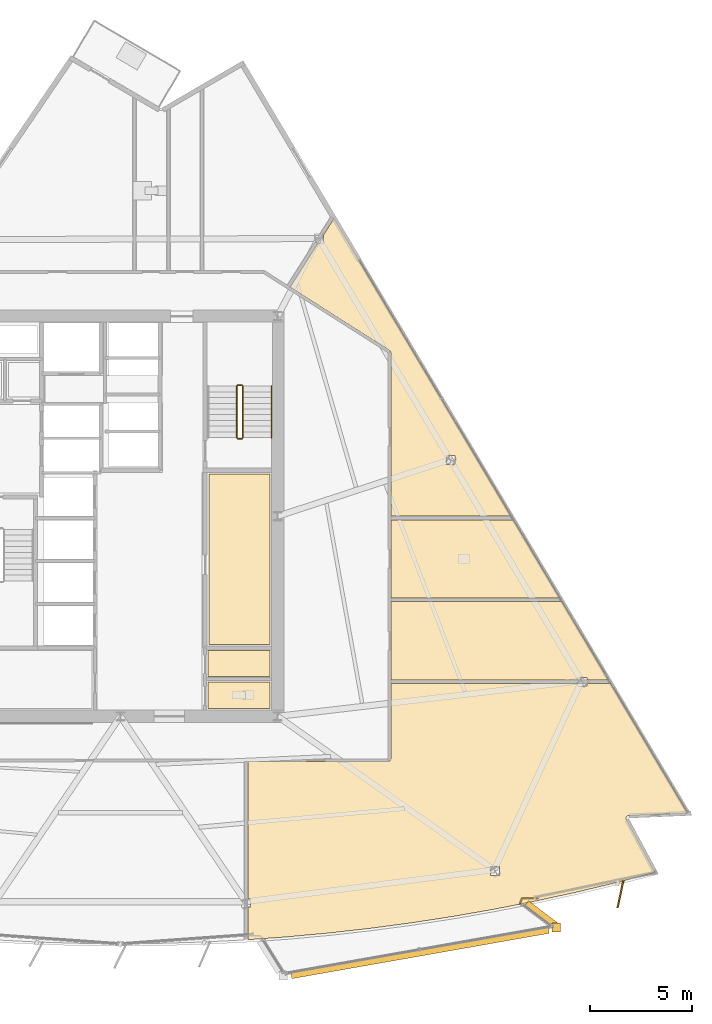
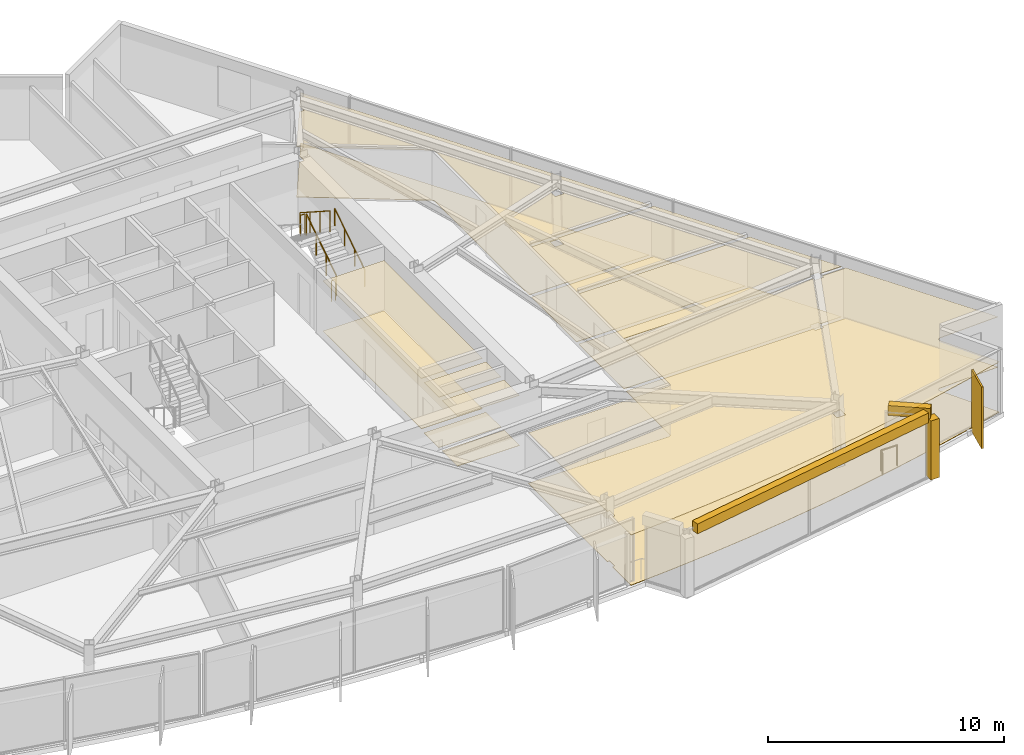
# One storey, part 13 of 15: 17 coverings, 6 railings, 1 shading device.
"""IFC4 building model written with IfcOpenShell, lengths in metres."""

from ifc_helpers import new_model, si_unit, direction, frame, origin, origin_2d, place, context, subcontext, project, spatial, polyline, rectangle, circle, outline, extrude, material, layer, layer_set, type_object, element, save


model = new_model("IFC4")

# Units and contexts
model_context = context("Model", 3, precision=1e-05, world=origin(), true_north=direction((0.0, 1.0)))
body_context = subcontext(model_context, "Body", "Model", "MODEL_VIEW")
ifc_project = project(units=[si_unit("LENGTHUNIT", "METRE"), si_unit("AREAUNIT", "SQUARE_METRE"), si_unit("VOLUMEUNIT", "CUBIC_METRE"), si_unit("PLANEANGLEUNIT", "RADIAN"), si_unit("MASSUNIT", "GRAM", prefix="KILO")], contexts=[model_context])

# Site, building, storey
site_placement = place(None, origin())
site = spatial("IfcSite", under=ifc_project, at=site_placement, CompositionType="ELEMENT")
building_placement = place(site_placement, origin())
building = spatial("IfcBuilding", under=site, at=building_placement, Name="Savorim Split Tower", CompositionType="ELEMENT")
storey_placement = place(building_placement, frame((0.0, 0.0, 125.699951171875)))
storey = spatial("IfcBuildingStorey", under=building, at=storey_placement, Name="L33", CompositionType="ELEMENT", Elevation=125.699951171875)

# Coverings
ifc_material_1 = material(Name="Mineral Fibre Acoustic Ceiling")
ifc_layer_1 = layer(ifc_material_1, 0.02490234375)
ifc_layer_set_1 = layer_set([ifc_layer_1], Name="COV-CEIL-25")
covering_type_1 = type_object("IfcCoveringType", Name="COV-CEIL-25", PredefinedType="CEILING", material=ifc_layer_set_1)
covering_1_placement = place(storey_placement, frame((0.0, 0.0, 2.60009765625)))
element("IfcCovering", 1, at=covering_1_placement, inside=storey, type_object=covering_type_1, Name="L33 Quiet Study Room Acoustic Ceiling", PredefinedType="CEILING", context=body_context, shape_type="SweptSolid", body=[
    extrude(outline(polyline([(4.330078125, 2.469970703125), (4.330078125, -5.8701171875), (7.320068359375, -5.8701171875), (7.320068359375, 2.469970703125), (4.330078125, 2.469970703125)])), origin(), (0.0, 0.0, 1.0), 0.02490234375),
])
covering_2_placement = place(storey_placement, frame((0.0, 0.0, 2.60009765625)))
element("IfcCovering", 2, at=covering_2_placement, inside=storey, type_object=covering_type_1, Name="L33 Accessible WC Acoustic Ceiling", PredefinedType="CEILING", context=body_context, shape_type="SweptSolid", body=[
    extrude(outline(polyline([(4.280029296875, -7.719970703125), (4.280029296875, -9.02001953125), (7.320068359375, -9.02001953125), (7.320068359375, -7.719970703125), (4.280029296875, -7.719970703125)])), origin(), (0.0, 0.0, 1.0), 0.02490234375),
])
covering_3_placement = place(storey_placement, frame((0.0, 0.0, 2.60009765625)))
element("IfcCovering", 3, at=covering_3_placement, inside=storey, type_object=covering_type_1, Name="L33 Cleaning Store Acoustic Ceiling", PredefinedType="CEILING", context=body_context, shape_type="SweptSolid", body=[
    extrude(outline(polyline([(4.280029296875, -6.179931640625), (4.280029296875, -7.43994140625), (7.320068359375, -7.43994140625), (7.320068359375, -6.179931640625), (4.280029296875, -6.179931640625)])), origin(), (0.0, 0.0, 1.0), 0.02490234375),
])
covering_4_placement = place(storey_placement, frame((0.0, 0.0, 2.60009765625)))
element("IfcCovering", 4, at=covering_4_placement, inside=storey, type_object=covering_type_1, Name="L33 Maker Workshop Acoustic Ceiling", PredefinedType="CEILING", context=body_context, shape_type="SweptSolid", body=[
    extrude(outline(polyline([(24.857421875, -14.2685546875), (24.86865234375, -14.2666015625), (24.880126953125, -14.265380859375), (27.78271484375, -14.141845703125), (23.99169921875, -7.7666015625), (23.99169921875, -7.799560546875), (22.841796875, -7.799560546875), (22.841796875, -7.922607421875), (22.415771484375, -7.922607421875), (22.415771484375, -7.799560546875), (13.239990234375, -7.799560546875), (13.239990234375, -11.47998046875), (13.2392578125, -11.49365234375), (13.2373046875, -11.50732421875), (13.23388671875, -11.5205078125), (13.229248046875, -11.53369140625), (13.223388671875, -11.5458984375), (13.21630859375, -11.557861328125), (13.208251953125, -11.56884765625), (13.198974609375, -11.5791015625), (13.188720703125, -11.588134765625), (13.177734375, -11.596435546875), (13.166015625, -11.603515625), (13.153564453125, -11.609375), (13.140625, -11.614013671875), (13.127197265625, -11.6171875), (13.11376953125, -11.619384765625), (13.10009765625, -11.6201171875), (6.2421875, -11.6201171875), (6.2421875, -18.320556640625), (6.3603515625, -18.320556640625), (6.3603515625, -18.756591796875), (6.2421875, -18.756591796875), (6.2421875, -20.292236328125), (6.2421875, -20.33544921875), (8.186767578125, -20.196044921875), (10.22705078125, -20.007568359375), (12.262939453125, -19.77734375), (14.2939453125, -19.505615234375), (16.318603515625, -19.1923828125), (18.336669921875, -18.837890625), (20.34716796875, -18.44189453125), (22.348876953125, -18.005126953125), (24.34130859375, -17.52734375), (26.177490234375, -17.04736328125), (24.779541015625, -14.44189453125), (24.7744140625, -14.431640625), (24.7705078125, -14.4208984375), (24.767578125, -14.40966796875), (24.765869140625, -14.398193359375), (24.76513671875, -14.38671875), (24.765625, -14.375), (24.76708984375, -14.36376953125), (24.769775390625, -14.352294921875), (24.7734375, -14.341552734375), (24.7783203125, -14.3310546875), (24.783935546875, -14.32080078125), (24.79052734375, -14.3115234375), (24.798095703125, -14.302734375), (24.806396484375, -14.294921875), (24.8154296875, -14.28759765625), (24.8251953125, -14.281494140625), (24.83544921875, -14.276123046875), (24.84619140625, -14.271728515625), (24.857421875, -14.2685546875)]), holes=[polyline([(18.554931640625, -17.19091796875), (18.554931640625, -16.7548828125), (18.12890625, -16.7548828125), (18.12890625, -17.19091796875), (18.554931640625, -17.19091796875)])]), origin(), (0.0, 0.0, 1.0), 0.02490234375),
])
covering_5_placement = place(storey_placement, frame((0.0, 0.0, 2.60009765625)))
element("IfcCovering", 5, at=covering_5_placement, inside=storey, type_object=covering_type_1, Name="L33 Communal Lounge Acoustic Ceiling", PredefinedType="CEILING", context=body_context, shape_type="SweptSolid", body=[
    extrude(outline(polyline([(22.841796875, -7.486572265625), (22.841796875, -7.609619140625), (23.896728515625, -7.609619140625), (23.8984375, -7.609619140625), (21.62548828125, -3.787353515625), (13.239990234375, -3.787353515625), (13.239990234375, -7.609619140625), (22.415771484375, -7.609619140625), (22.415771484375, -7.486572265625), (22.841796875, -7.486572265625)])), origin(), (0.0, 0.0, 1.0), 0.02490234375),
])
covering_6_placement = place(storey_placement, frame((0.0, 0.0, 2.60009765625)))
element("IfcCovering", 6, at=covering_6_placement, inside=storey, type_object=covering_type_1, Name="L33 Community Laundry Room Acoustic Ceiling", PredefinedType="CEILING", context=body_context, shape_type="SweptSolid", body=[
    extrude(outline(polyline([(21.5126953125, -3.597412109375), (19.239990234375, 0.224853515625), (13.239990234375, 0.224853515625), (13.239990234375, -3.597412109375), (21.5126953125, -3.597412109375)])), origin(), (0.0, 0.0, 1.0), 0.02490234375),
])
covering_7_placement = place(storey_placement, frame((0.0, 0.0, 2.60009765625)))
element("IfcCovering", 7, at=covering_7_placement, inside=storey, type_object=covering_type_1, Name="L33 Co-Working Commons Acoustic Ceiling", PredefinedType="CEILING", context=body_context, shape_type="SweptSolid", body=[
    extrude(outline(polyline([(13.2373046875, 8.427978515625), (13.2392578125, 8.4140625), (13.239990234375, 8.39990234375), (13.239990234375, 0.414794921875), (19.126953125, 0.414794921875), (10.46337890625, 14.98486328125), (9.936279296875, 14.156494140625), (9.936279296875, 13.780517578125), (9.697265625, 13.780517578125), (8.31591796875, 11.60888671875), (8.31591796875, 11.60888671875), (13.175048828125, 8.51806640625), (13.1865234375, 8.510009765625), (13.197265625, 8.500732421875), (13.206787109375, 8.490478515625), (13.21533203125, 8.479248046875), (13.22265625, 8.46728515625), (13.22900390625, 8.45458984375), (13.233642578125, 8.44140625), (13.2373046875, 8.427978515625)]), holes=[polyline([(16.38916015625, 2.928955078125), (16.38916015625, 3.364990234375), (15.963134765625, 3.364990234375), (15.963134765625, 2.928955078125), (16.38916015625, 2.928955078125)])]), origin(), (0.0, 0.0, 1.0), 0.02490234375),
])
ifc_material_2 = material(Name="Porcelain Stoneware Flooring", Category="masonry")
ifc_layer_2 = layer(ifc_material_2, 0.02001953125)
ifc_layer_set_2 = layer_set([ifc_layer_2], Name="COV-FLOR-20")
covering_type_2 = type_object("IfcCoveringType", Name="COV-FLOR-20", PredefinedType="FLOORING", material=ifc_layer_set_2)
covering_8_placement = place(storey_placement, origin())
element("IfcCovering", 8, at=covering_8_placement, inside=storey, type_object=covering_type_2, Name="L33 Quiet Study Room Porcelain Flooring", PredefinedType="FLOORING", context=body_context, shape_type="SweptSolid", body=[
    extrude(outline(polyline([(4.330078125, 2.469970703125), (4.330078125, -5.8701171875), (7.320068359375, -5.8701171875), (7.320068359375, 2.469970703125), (4.330078125, 2.469970703125)])), origin(), (0.0, 0.0, 1.0), 0.02001953125),
])
covering_9_placement = place(storey_placement, origin())
element("IfcCovering", 9, at=covering_9_placement, inside=storey, type_object=covering_type_2, Name="L33 Accessible WC Porcelain Flooring", PredefinedType="FLOORING", context=body_context, shape_type="SweptSolid", body=[
    extrude(outline(polyline([(4.280029296875, -7.719970703125), (4.280029296875, -9.02001953125), (7.320068359375, -9.02001953125), (7.320068359375, -7.719970703125), (4.280029296875, -7.719970703125)])), origin(), (0.0, 0.0, 1.0), 0.02001953125),
])
covering_10_placement = place(storey_placement, origin())
element("IfcCovering", 10, at=covering_10_placement, inside=storey, type_object=covering_type_2, Name="L33 Cleaning Store Porcelain Flooring", PredefinedType="FLOORING", context=body_context, shape_type="SweptSolid", body=[
    extrude(outline(polyline([(4.280029296875, -6.179931640625), (4.280029296875, -7.43994140625), (7.320068359375, -7.43994140625), (7.320068359375, -6.179931640625), (4.280029296875, -6.179931640625)])), origin(), (0.0, 0.0, 1.0), 0.02001953125),
])
covering_11_placement = place(storey_placement, origin())
element("IfcCovering", 11, at=covering_11_placement, inside=storey, type_object=covering_type_2, Name="L33 Maker Workshop Porcelain Flooring", PredefinedType="FLOORING", context=body_context, shape_type="SweptSolid", body=[
    extrude(outline(polyline([(24.857421875, -14.2685546875), (24.86865234375, -14.2666015625), (24.880126953125, -14.265380859375), (27.78271484375, -14.141845703125), (23.99169921875, -7.7666015625), (23.99169921875, -7.799560546875), (22.841796875, -7.799560546875), (22.841796875, -7.922607421875), (22.415771484375, -7.922607421875), (22.415771484375, -7.799560546875), (13.239990234375, -7.799560546875), (13.239990234375, -11.47998046875), (13.2392578125, -11.49365234375), (13.2373046875, -11.50732421875), (13.23388671875, -11.5205078125), (13.229248046875, -11.53369140625), (13.223388671875, -11.5458984375), (13.21630859375, -11.557861328125), (13.208251953125, -11.56884765625), (13.198974609375, -11.5791015625), (13.188720703125, -11.588134765625), (13.177734375, -11.596435546875), (13.166015625, -11.603515625), (13.153564453125, -11.609375), (13.140625, -11.614013671875), (13.127197265625, -11.6171875), (13.11376953125, -11.619384765625), (13.10009765625, -11.6201171875), (6.2421875, -11.6201171875), (6.2421875, -18.320556640625), (6.3603515625, -18.320556640625), (6.3603515625, -18.756591796875), (6.2421875, -18.756591796875), (6.2421875, -20.292236328125), (6.2421875, -20.33544921875), (8.186767578125, -20.196044921875), (10.22705078125, -20.007568359375), (12.262939453125, -19.77734375), (14.2939453125, -19.505615234375), (16.318603515625, -19.1923828125), (18.336669921875, -18.837890625), (20.34716796875, -18.44189453125), (22.348876953125, -18.005126953125), (24.34130859375, -17.52734375), (26.177490234375, -17.04736328125), (24.779541015625, -14.44189453125), (24.7744140625, -14.431640625), (24.7705078125, -14.4208984375), (24.767578125, -14.40966796875), (24.765869140625, -14.398193359375), (24.76513671875, -14.38671875), (24.765625, -14.375), (24.76708984375, -14.36376953125), (24.769775390625, -14.352294921875), (24.7734375, -14.341552734375), (24.7783203125, -14.3310546875), (24.783935546875, -14.32080078125), (24.79052734375, -14.3115234375), (24.798095703125, -14.302734375), (24.806396484375, -14.294921875), (24.8154296875, -14.28759765625), (24.8251953125, -14.281494140625), (24.83544921875, -14.276123046875), (24.84619140625, -14.271728515625), (24.857421875, -14.2685546875)]), holes=[polyline([(18.554931640625, -17.19091796875), (18.554931640625, -16.7548828125), (18.12890625, -16.7548828125), (18.12890625, -17.19091796875), (18.554931640625, -17.19091796875)])]), origin(), (0.0, 0.0, 1.0), 0.02001953125),
])
covering_12_placement = place(storey_placement, origin())
element("IfcCovering", 12, at=covering_12_placement, inside=storey, type_object=covering_type_2, Name="L33 Communal Lounge Porcelain Flooring", PredefinedType="FLOORING", context=body_context, shape_type="SweptSolid", body=[
    extrude(outline(polyline([(22.841796875, -7.486572265625), (22.841796875, -7.609619140625), (23.896728515625, -7.609619140625), (23.8984375, -7.609619140625), (21.62548828125, -3.787353515625), (13.239990234375, -3.787353515625), (13.239990234375, -7.609619140625), (22.415771484375, -7.609619140625), (22.415771484375, -7.486572265625), (22.841796875, -7.486572265625)])), origin(), (0.0, 0.0, 1.0), 0.02001953125),
])
covering_13_placement = place(storey_placement, origin())
element("IfcCovering", 13, at=covering_13_placement, inside=storey, type_object=covering_type_2, Name="L33 Community Laundry Room Porcelain Flooring", PredefinedType="FLOORING", context=body_context, shape_type="SweptSolid", body=[
    extrude(outline(polyline([(21.5126953125, -3.597412109375), (19.239990234375, 0.224853515625), (13.239990234375, 0.224853515625), (13.239990234375, -3.597412109375), (21.5126953125, -3.597412109375)])), origin(), (0.0, 0.0, 1.0), 0.02001953125),
])
covering_14_placement = place(storey_placement, origin())
element("IfcCovering", 14, at=covering_14_placement, inside=storey, type_object=covering_type_2, Name="L33 Co-Working Commons Porcelain Flooring", PredefinedType="FLOORING", context=body_context, shape_type="SweptSolid", body=[
    extrude(outline(polyline([(13.2373046875, 8.427978515625), (13.2392578125, 8.4140625), (13.239990234375, 8.39990234375), (13.239990234375, 0.414794921875), (19.126953125, 0.414794921875), (10.46337890625, 14.98486328125), (9.936279296875, 14.156494140625), (9.936279296875, 13.780517578125), (9.697265625, 13.780517578125), (8.31591796875, 11.60888671875), (8.31591796875, 11.60888671875), (13.175048828125, 8.51806640625), (13.1865234375, 8.510009765625), (13.197265625, 8.500732421875), (13.206787109375, 8.490478515625), (13.21533203125, 8.479248046875), (13.22265625, 8.46728515625), (13.22900390625, 8.45458984375), (13.233642578125, 8.44140625), (13.2373046875, 8.427978515625)]), holes=[polyline([(16.38916015625, 2.928955078125), (16.38916015625, 3.364990234375), (15.963134765625, 3.364990234375), (15.963134765625, 2.928955078125), (16.38916015625, 2.928955078125)])]), origin(), (0.0, 0.0, 1.0), 0.02001953125),
])
ifc_material_3 = material(Name="White Porcelain Architectural Cladding")
ifc_layer_3 = layer(ifc_material_3, 0.139892578125)
ifc_layer_set_3 = layer_set([ifc_layer_3], Name="COV-FRM-WHITE")
covering_type_3 = type_object("IfcCoveringType", Name="COV-FRM-WHITE", PredefinedType="CLADDING", material=ifc_layer_set_3)
covering_15_placement = place(storey_placement, frame((0.0, 0.0, 3.080078125)))
element("IfcCovering", 15, at=covering_15_placement, inside=storey, type_object=covering_type_3, Name="L33 Cantilevered Lounge White Upper Cornice Band F", PredefinedType="CLADDING", context=body_context, shape_type="SweptSolid", body=[
    extrude(outline(polyline([(8.399169921875, -22.24658203125), (20.9951171875, -20.02490234375), (20.93603515625, -19.690185546875), (8.340087890625, -21.911865234375), (8.399169921875, -22.24658203125)])), origin(), (0.0, 0.0, 1.0), 0.510009765625),
])
covering_16_placement = place(storey_placement, frame((0.0, 0.0, 3.080078125)))
element("IfcCovering", 16, at=covering_16_placement, inside=storey, type_object=covering_type_3, Name="L33 Cantilevered Lounge White Upper Cornice Band E", PredefinedType="CLADDING", context=body_context, shape_type="SweptSolid", body=[
    extrude(outline(polyline([(21.419677734375, -19.51513671875), (19.98486328125, -18.428466796875), (19.779541015625, -18.699462890625), (21.214599609375, -19.7861328125), (21.419677734375, -19.51513671875)])), origin(), (0.0, 0.0, 1.0), 0.510009765625),
])
covering_17_placement = place(storey_placement, frame((0.0, 0.0, 0.010009765625)))
element("IfcCovering", 17, at=covering_17_placement, inside=storey, type_object=covering_type_3, Name="L33 Cantilevered Lounge White Frame Corner Post 2", PredefinedType="CLADDING", context=body_context, shape_type="SweptSolid", body=[
    extrude(outline(polyline([(21.140625, -19.94873046875), (21.560791015625, -19.94873046875), (21.560791015625, -19.52880859375), (21.140625, -19.52880859375), (21.140625, -19.94873046875)])), origin(), (0.0, 0.0, 1.0), 3.050048828125),
])

# Railings
ifc_material_4 = material(Name="Galvanised Painted Steel Balustrade", Category="steel")
railing_type_1 = type_object("IfcRailingType", Name="RLG-BAL-1100", PredefinedType="BALUSTRADE", material=ifc_material_4)
railing_1_placement = place(storey_placement, frame((19.564208984375, -18.5869140625, 0.0)))
element("IfcRailing", 18, at=railing_1_placement, inside=storey, type_object=railing_type_1, Name="L33 Cantilevered Lounge East Edge Closure Guard", PredefinedType="BALUSTRADE", context=body_context, shape_type="SweptSolid", body=[
    extrude(circle(Radius=0.02392578125, at=origin_2d()), frame((0.0, 0.0, 1.076171875), z_axis=(0.327651820851, 0.944798541644, 0.0), x_axis=(-0.944798541644, 0.327651820851, 0.0)), (0.0, 0.0, 1.0), 0.29443359375),
    extrude(circle(Radius=0.02392578125, at=origin_2d()), frame((0.096435546875, 0.278076171875, 1.076171875), z_axis=(1.0, 0.0, 0.0), x_axis=(0.0, 1.0, 0.0)), (0.0, 0.0, 1.0), 0.780029296875),
    extrude(circle(Radius=0.02099609375, at=origin_2d()), origin(), (0.0, 0.0, 1.0), 1.052001953125),
    extrude(circle(Radius=0.02099609375, at=origin_2d()), frame((0.096435546875, 0.278076171875, 0.0)), (0.0, 0.0, 1.0), 1.052001953125),
    extrude(circle(Radius=0.02099609375, at=origin_2d()), frame((0.87646484375, 0.278076171875, 0.0)), (0.0, 0.0, 1.0), 1.052001953125),
])
railing_type_2 = type_object("IfcRailingType", Name="RLG-HR-900", PredefinedType="HANDRAIL", material=ifc_material_4)
railing_2_placement = place(storey_placement, frame((7.39990234375, 4.25, 0.179931640625)))
element("IfcRailing", 19, at=railing_2_placement, inside=storey, type_object=railing_type_2, Name="L33 ST-2 stair handrail 1", PredefinedType="HANDRAIL", context=body_context, shape_type="SweptSolid", body=[
    extrude(circle(Radius=0.02392578125, at=origin_2d()), frame((0.0, 0.0, 0.8759765625), z_axis=(0.0, 0.841162588446, 0.540782303519), x_axis=(-1.0, 0.0, 0.0)), (0.0, 0.0, 1.0), 2.995849609375),
    extrude(circle(Radius=0.02099609375, at=origin_2d()), origin(), (0.0, 0.0, 1.0), 0.851806640625),
    extrude(circle(Radius=0.02099609375, at=origin_2d()), frame((0.0, 0.840087890625, 0.5400390625)), (0.0, 0.0, 1.0), 0.851806640625),
    extrude(circle(Radius=0.02099609375, at=origin_2d()), frame((0.0, 1.679931640625, 1.080078125)), (0.0, 0.0, 1.0), 0.851806640625),
    extrude(circle(Radius=0.02099609375, at=origin_2d()), frame((0.0, 2.52001953125, 1.6201171875)), (0.0, 0.0, 1.0), 0.851806640625),
])
railing_type_3 = type_object("IfcRailingType", Name="RLG-STG-1100", PredefinedType="BALUSTRADE", material=ifc_material_4)
railing_3_placement = place(storey_placement, frame((6.0, 4.25, 0.179931640625)))
element("IfcRailing", 20, at=railing_3_placement, inside=storey, type_object=railing_type_3, Name="L33 ST-2 stair guard 1", PredefinedType="BALUSTRADE", context=body_context, shape_type="SweptSolid", body=[
    extrude(circle(Radius=0.02392578125, at=origin_2d()), frame((0.0, 0.0, 1.076171875), z_axis=(0.0, 0.841162588446, 0.540782303519), x_axis=(-1.0, 0.0, 0.0)), (0.0, 0.0, 1.0), 2.995849609375),
    extrude(circle(Radius=0.02099609375, at=origin_2d()), origin(), (0.0, 0.0, 1.0), 1.052001953125),
    extrude(circle(Radius=0.02099609375, at=origin_2d()), frame((0.0, 0.840087890625, 0.5400390625)), (0.0, 0.0, 1.0), 1.052001953125),
    extrude(circle(Radius=0.02099609375, at=origin_2d()), frame((0.0, 1.679931640625, 1.080078125)), (0.0, 0.0, 1.0), 1.052001953125),
    extrude(circle(Radius=0.02099609375, at=origin_2d()), frame((0.0, 2.52001953125, 1.6201171875)), (0.0, 0.0, 1.0), 1.052001953125),
])
railing_4_placement = place(storey_placement, frame((5.949951171875, 6.820068359375, 1.800048828125)))
element("IfcRailing", 21, at=railing_4_placement, inside=storey, type_object=railing_type_3, Name="L33 ST-2 stair guard 2", PredefinedType="BALUSTRADE", context=body_context, shape_type="SweptSolid", body=[
    extrude(circle(Radius=0.02392578125, at=origin_2d()), frame((0.0, 0.0, 1.076171875), z_axis=(-1.0, 0.0, 0.0), x_axis=(0.0, -1.0, 0.0)), (0.0, 0.0, 1.0), 0.199951171875),
    extrude(circle(Radius=0.02099609375, at=origin_2d()), origin(), (0.0, 0.0, 1.0), 1.052001953125),
    extrude(circle(Radius=0.02099609375, at=origin_2d()), frame((-0.199951171875, 0.0, 0.0)), (0.0, 0.0, 1.0), 1.052001953125),
])
railing_5_placement = place(storey_placement, frame((5.699951171875, 6.77001953125, 1.97998046875)))
element("IfcRailing", 22, at=railing_5_placement, inside=storey, type_object=railing_type_3, Name="L33 ST-2 stair guard 3", PredefinedType="BALUSTRADE", context=body_context, shape_type="SweptSolid", body=[
    extrude(circle(Radius=0.02392578125, at=origin_2d()), frame((0.0, 0.0, 1.076171875), z_axis=(0.0, -0.841162588446, 0.540782303519), x_axis=(1.0, 0.0, 0.0)), (0.0, 0.0, 1.0), 2.995849609375),
    extrude(circle(Radius=0.02099609375, at=origin_2d()), origin(), (0.0, 0.0, 1.0), 1.052001953125),
    extrude(circle(Radius=0.02099609375, at=origin_2d()), frame((0.0, -0.840087890625, 0.5400390625)), (0.0, 0.0, 1.0), 1.052001953125),
    extrude(circle(Radius=0.02099609375, at=origin_2d()), frame((0.0, -1.679931640625, 1.080078125)), (0.0, 0.0, 1.0), 1.052001953125),
    extrude(circle(Radius=0.02099609375, at=origin_2d()), frame((0.0, -2.52001953125, 1.6201171875)), (0.0, 0.0, 1.0), 1.052001953125),
])
railing_6_placement = place(storey_placement, frame((5.949951171875, 4.199951171875, 0.0)))
element("IfcRailing", 23, at=railing_6_placement, inside=storey, type_object=railing_type_3, Name="L33 ST-2 stair guard 4", PredefinedType="BALUSTRADE", context=body_context, shape_type="SweptSolid", body=[
    extrude(circle(Radius=0.02392578125, at=origin_2d()), frame((0.0, 0.0, 1.076171875), z_axis=(-1.0, 0.0, 0.0), x_axis=(0.0, -1.0, 0.0)), (0.0, 0.0, 1.0), 0.199951171875),
    extrude(circle(Radius=0.02099609375, at=origin_2d()), origin(), (0.0, 0.0, 1.0), 1.052001953125),
    extrude(circle(Radius=0.02099609375, at=origin_2d()), frame((-0.199951171875, 0.0, 0.0)), (0.0, 0.0, 1.0), 1.052001953125),
])

# Shading device
ifc_material_5 = material(Name="Terracotta Ceramic-Coated Aluminium Fin", Category="masonry")
shading_device_type = type_object("IfcShadingDeviceType", Name="SHD-FIN-1360", PredefinedType="USERDEFINED", material=ifc_material_5)
shading_device_placement = place(storey_placement, frame((24.486328125, -18.105712890625, -0.19970703125), z_axis=(0.0, 0.0, 1.0), x_axis=(-0.206721626106, -0.978399800337, 0.0)))
element("IfcShadingDevice", 24, at=shading_device_placement, inside=storey, type_object=shading_device_type, Name="L33 Sawtooth Shading Fin 13", ObjectType="FIN", PredefinedType="USERDEFINED", context=body_context, shape_type="SweptSolid", body=[
    extrude(rectangle(XDim=1.360107421875, YDim=0.080078125, at=origin_2d()), origin(), (0.0, 0.0, 1.0), 3.199951171875),
])

save(model, "model.ifc")
